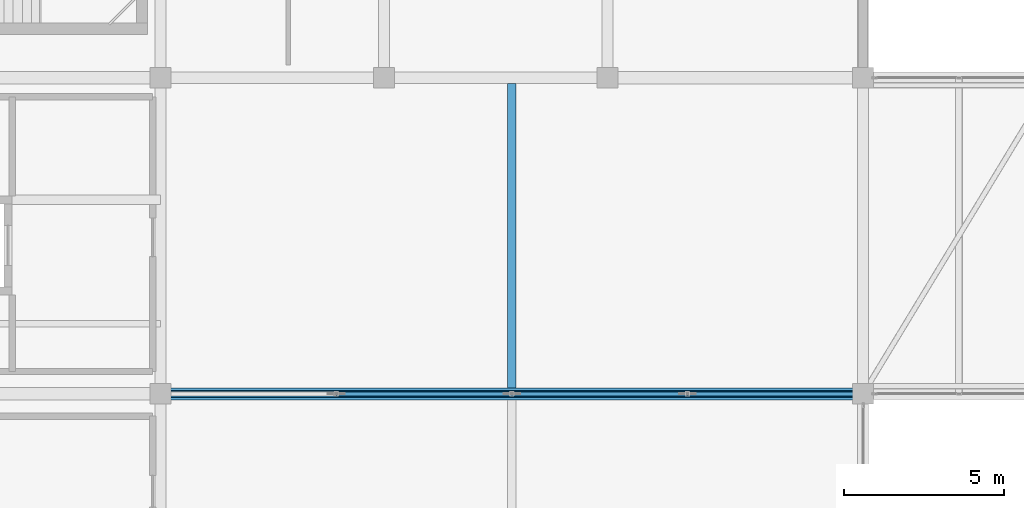
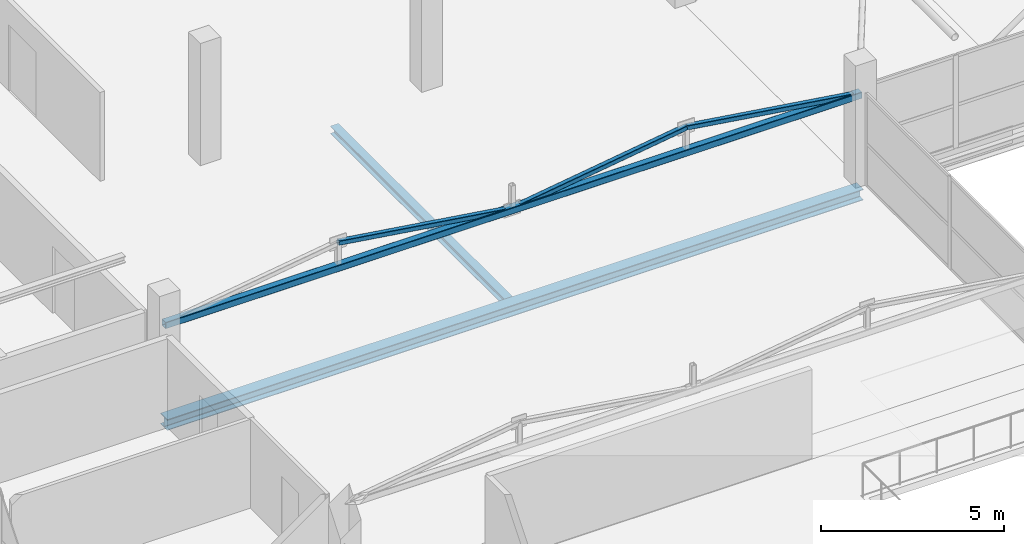
# One storey, part 31 of 66: 4 members, 2 beams.
"""IFC4 building model written with IfcOpenShell, lengths in metres."""

from ifc_helpers import new_model, si_unit, direction, frame, origin, origin_2d, place, context, subcontext, project, spatial, hollow_rectangle, i_section, extrude, material, material_profile, profile_set, type_object, element, save


model = new_model("IFC4")

# Units and contexts
model_context = context("Model", 3, precision=1e-05, world=origin(), true_north=direction((0.0, 1.0)))
body_context = subcontext(model_context, "Body", "Model", "MODEL_VIEW")
ifc_project = project(units=[si_unit("LENGTHUNIT", "METRE"), si_unit("AREAUNIT", "SQUARE_METRE"), si_unit("VOLUMEUNIT", "CUBIC_METRE"), si_unit("PLANEANGLEUNIT", "RADIAN"), si_unit("MASSUNIT", "GRAM", prefix="KILO")], contexts=[model_context])

# Site, building, storey
site_placement = place(None, origin())
site = spatial("IfcSite", under=ifc_project, at=site_placement, CompositionType="ELEMENT")
building_placement = place(site_placement, origin())
building = spatial("IfcBuilding", under=site, at=building_placement, Name="Sillaruma Civic Art Gallery", CompositionType="ELEMENT")
storey_placement = place(building_placement, frame((0.0, 0.0, 62.219970703125)))
storey = spatial("IfcBuildingStorey", under=building, at=storey_placement, Name="L12", CompositionType="ELEMENT", Elevation=62.219970703125)

# Beams
ifc_material_1 = material(Name="Structural Steel ASTM A992 Gr.50", Category="steel")
ifc_material_profile_1 = material_profile(ifc_material_1, i_section(OverallWidth=0.256103515625, OverallDepth=0.260009765625, WebThickness=0.0107421875, FlangeThickness=0.017333984375, FilletRadius=0.012939453125, at=origin_2d()), Name="W250x89")
ifc_profile_set_1 = profile_set([ifc_material_profile_1], Name="Structural Steel ASTM A992 Gr.50")
beam_type_1 = type_object("IfcBeamType", Name="BM-JOIST-W250x89", PredefinedType="JOIST", material=ifc_profile_set_1)
beam_1_placement = place(storey_placement, frame((81.0, 69.485595703125, -0.35986328125), z_axis=(0.0, 1.0, 0.0), x_axis=(-1.0, 0.0, 0.0)))
element("IfcBeam", 1, at=beam_1_placement, inside=storey, type_object=beam_type_1, Name="Long-Span Gallery Joist JS-04 (L11:8-9)", PredefinedType="JOIST", context=body_context, shape_type="SweptSolid", body=[
    extrude(i_section(OverallWidth=0.256103515625, OverallDepth=0.260009765625, WebThickness=0.0107421875, FlangeThickness=0.017333984375, FilletRadius=0.012939453125, at=origin_2d()), origin(), (0.0, 0.0, 1.0), 9.539306640625),
])
ifc_material_profile_2 = material_profile(ifc_material_1, i_section(OverallWidth=0.37109375, OverallDepth=0.364013671875, WebThickness=0.01318359375, FlangeThickness=0.021728515625, FilletRadius=0.014892578125, at=origin_2d()), Name="W360x162")
ifc_profile_set_2 = profile_set([ifc_material_profile_2], Name="Structural Steel ASTM A992 Gr.50")
beam_type_2 = type_object("IfcBeamType", Name="BM-TRTOP-W360x162", PredefinedType="BEAM", material=ifc_profile_set_2)
beam_2_placement = place(storey_placement, frame((70.0, 69.300048828125, -0.411865234375), z_axis=(1.0, 0.0, 0.0), x_axis=(0.0, 1.0, 0.0)))
element("IfcBeam", 2, at=beam_2_placement, inside=storey, type_object=beam_type_2, Name="Warren Truss Top Chord TR-L11-3", PredefinedType="BEAM", context=body_context, shape_type="SweptSolid", body=[
    extrude(i_section(OverallWidth=0.37109375, OverallDepth=0.364013671875, WebThickness=0.01318359375, FlangeThickness=0.021728515625, FilletRadius=0.014892578125, at=origin_2d()), origin(), (0.0, 0.0, 1.0), 22.0),
])

# Members
ifc_material_2 = material(Name="Structural Steel ASTM A500 Gr.C", Category="steel")
ifc_material_profile_3 = material_profile(ifc_material_2, hollow_rectangle(XDim=0.14990234375, YDim=0.14990234375, WallThickness=0.010009765625, InnerFilletRadius=0.010009765625, OuterFilletRadius=0.02001953125, at=origin_2d()), Name="HSS150x150x10")
ifc_profile_set_3 = profile_set([ifc_material_profile_3], Name="Structural Steel ASTM A500 Gr.C")
member_type_1 = type_object("IfcMemberType", Name="MEM-BRACE-HSS150x150x10", PredefinedType="BRACE", material=ifc_profile_set_3)
for number, where, z_axis, x_axis, name in (
    (3, (75.5, 69.300048828125, 3.66796875), (0.989384036218, 0.0, -0.145324563914), (0.0, 1.0, 0.0), "Warren Truss Diagonal TR-L12-3-D2"),
    (4, (81.0, 69.300048828125, 2.860107421875), (0.989384036218, 0.0, 0.145324563914), (0.0, 1.0, 0.0), "Warren Truss Diagonal TR-L12-3-D3"),
    (5, (86.5, 69.300048828125, 3.66796875), (0.989384036218, 0.0, -0.145324563914), (0.0, 1.0, 0.0), "Warren Truss Diagonal TR-L12-3-D4"),
):
    element("IfcMember", number, at=place(storey_placement, frame(where, z_axis=z_axis, x_axis=x_axis)), inside=storey, type_object=member_type_1, Name=name, PredefinedType="BRACE", context=body_context, shape_type="SweptSolid", body=[
        extrude(hollow_rectangle(XDim=0.14990234375, YDim=0.14990234375, WallThickness=0.010009765625, InnerFilletRadius=0.010009765625, OuterFilletRadius=0.02001953125, at=origin_2d()), origin(), (0.0, 0.0, 1.0), 5.55908203125),
    ])
ifc_material_profile_4 = material_profile(ifc_material_2, hollow_rectangle(XDim=0.219970703125, YDim=0.219970703125, WallThickness=0.012451171875, InnerFilletRadius=0.012451171875, OuterFilletRadius=0.02490234375, at=origin_2d()), Name="HSS220x220x12.5")
ifc_profile_set_4 = profile_set([ifc_material_profile_4], Name="Structural Steel ASTM A500 Gr.C")
member_type_2 = type_object("IfcMemberType", Name="MEM-CHORD-HSS220x220x12.5", PredefinedType="CHORD", material=ifc_profile_set_4)
member_placement = place(storey_placement, frame((70.0, 69.300048828125, 2.860107421875), z_axis=(1.0, 0.0, 0.0), x_axis=(0.0, 1.0, 0.0)))
element("IfcMember", 6, at=member_placement, inside=storey, type_object=member_type_2, Name="Warren Truss Bottom Chord TR-L12-3", PredefinedType="CHORD", context=body_context, shape_type="SweptSolid", body=[
    extrude(hollow_rectangle(XDim=0.219970703125, YDim=0.219970703125, WallThickness=0.012451171875, InnerFilletRadius=0.012451171875, OuterFilletRadius=0.02490234375, at=origin_2d()), origin(), (0.0, 0.0, 1.0), 22.0),
])

save(model, "model.ifc")
